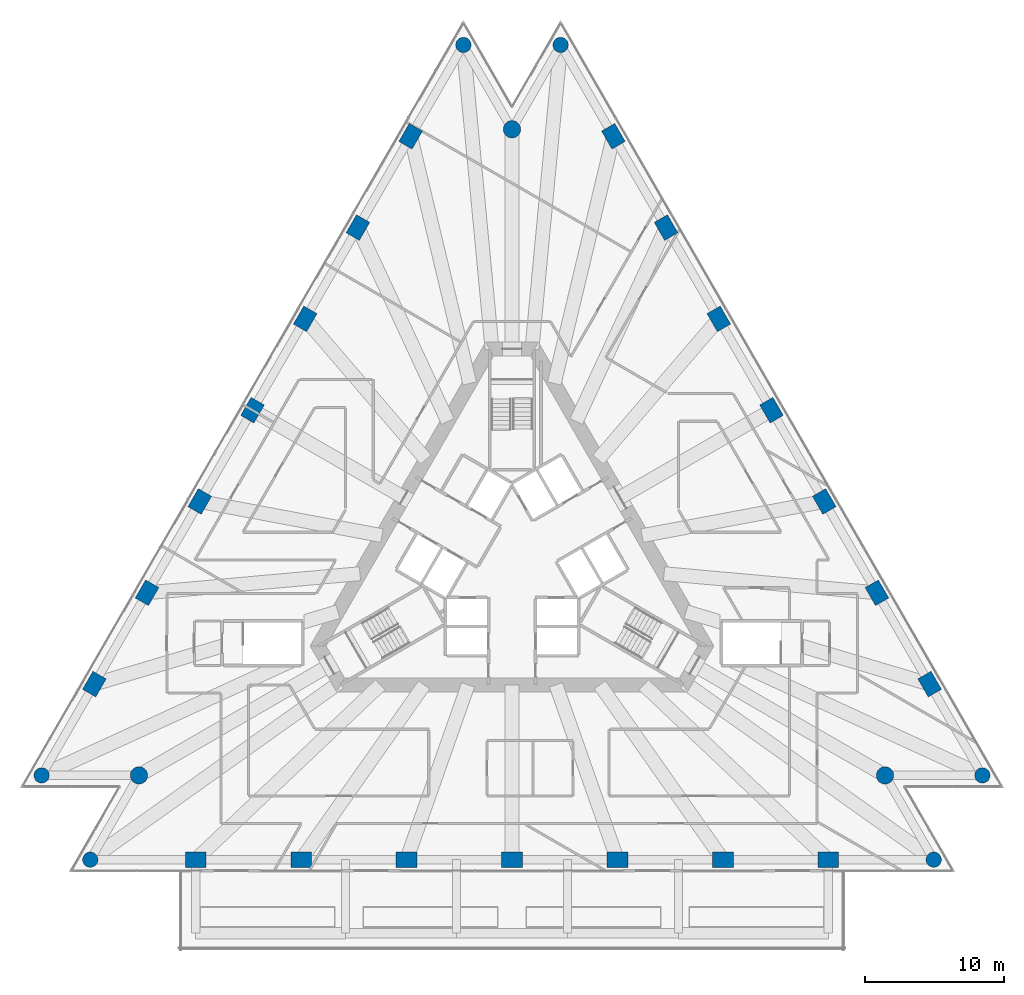
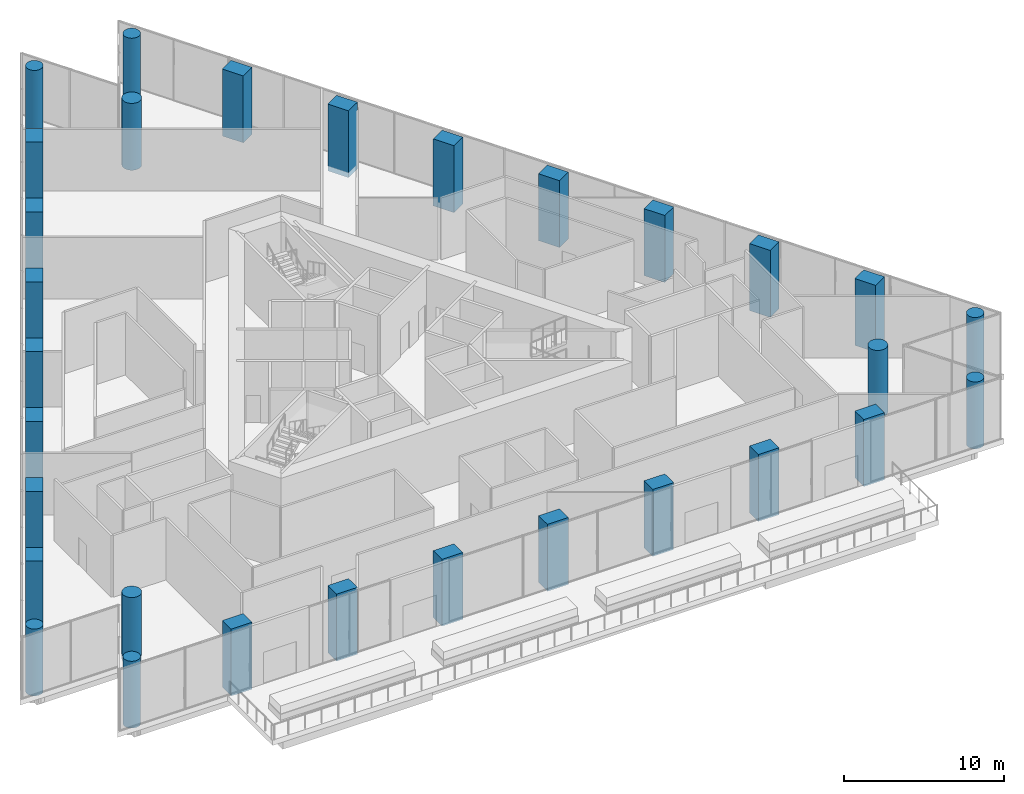
# One storey, part 1 of 28: 30 columns.
"""IFC4 building model written with IfcOpenShell, lengths in metres."""

from ifc_helpers import new_model, si_unit, direction, frame, origin, origin_2d, place, context, subcontext, project, spatial, rectangle, circle, extrude, material, material_profile, profile_set, type_object, element, save


model = new_model("IFC4")

# Units and contexts
model_context = context("Model", 3, precision=1e-05, world=origin(), true_north=direction((0.0, 1.0)))
body_context = subcontext(model_context, "Body", "Model", "MODEL_VIEW")
ifc_project = project(units=[si_unit("LENGTHUNIT", "METRE"), si_unit("AREAUNIT", "SQUARE_METRE"), si_unit("VOLUMEUNIT", "CUBIC_METRE"), si_unit("PLANEANGLEUNIT", "RADIAN"), si_unit("MASSUNIT", "GRAM", prefix="KILO")], contexts=[model_context])

# Site, building, storey
site_placement = place(None, origin())
site = spatial("IfcSite", under=ifc_project, at=site_placement, CompositionType="ELEMENT")
building_placement = place(site_placement, origin())
building = spatial("IfcBuilding", under=site, at=building_placement, Name="Triada Interchange Tower", CompositionType="ELEMENT")
storey_placement = place(building_placement, frame((0.0, 0.0, 30.300048828125)))
storey = spatial("IfcBuildingStorey", under=building, at=storey_placement, Name="L05", CompositionType="ELEMENT", Elevation=30.300048828125)

# Columns
ifc_material = material(Name="Concrete C70/85", Category="concrete")
ifc_material_profile_1 = material_profile(ifc_material, rectangle(XDim=1.5, YDim=1.10009765625, at=origin_2d()), Name="RC 1500x1100")
ifc_profile_set_1 = profile_set([ifc_material_profile_1], Name="Concrete C70/85")
column_type_1 = type_object("IfcColumnType", Name="Column P face RC 1500x1100", PredefinedType="COLUMN", material=ifc_profile_set_1)
for number, where, z_axis, x_axis, name in (
    (1, (-7.306884765625, 30.5439453125, -0.400146484375), (0.0, 0.0, 1.0), (0.5, 0.866025403784, 0.0), "Column CP02 L05"),
    (2, (-11.10595703125, 23.9619140625, -0.400146484375), (0.0, 0.0, 1.0), (0.5, 0.866025403784, 0.0), "Column CP03 L05"),
    (3, (-14.906005859375, 17.381103515625, -0.400146484375), (0.0, 0.0, 1.0), (0.5, 0.866025403784, 0.0), "Column CP04 L05"),
    (4, (-18.7060546875, 10.800048828125, -0.400146484375), (0.0, 0.0, 1.0), (0.5, 0.866025403784, 0.0), "Column CP05 L05"),
    (5, (-22.506103515625, 4.218994140625, -0.400146484375), (0.0, 0.0, 1.0), (0.5, 0.866025403784, 0.0), "Column CP06 L05"),
    (6, (-26.305908203125, -2.362060546875, -0.400146484375), (0.0, 0.0, 1.0), (0.5, 0.866025403784, 0.0), "Column CP07 L05"),
    (7, (-30.10498046875, -8.944091796875, -0.400146484375), (0.0, 0.0, 1.0), (0.5, 0.866025403784, 0.0), "Column CP08 L05"),
    (8, (-22.798095703125, -21.60009765625, -0.400146484375), (0.0, 0.0, 1.0), (1.0, 0.0, 0.0), "Column CP11 L05"),
    (9, (-15.197998046875, -21.60009765625, -0.400146484375), (0.0, 0.0, 1.0), (1.0, 0.0, 0.0), "Column CP12 L05"),
    (10, (-7.59912109375, -21.60009765625, -0.400146484375), (0.0, 0.0, 1.0), (1.0, 0.0, 0.0), "Column CP13 L05"),
    (11, (0.0, -21.60009765625, -0.400146484375), (0.0, 0.0, 1.0), (1.0, 0.0, 0.0), "Column CP14 L05"),
    (12, (7.59912109375, -21.60009765625, -0.400146484375), (0.0, 0.0, 1.0), (1.0, 0.0, 0.0), "Column CP15 L05"),
    (13, (15.198974609375, -21.60009765625, -0.400146484375), (0.0, 0.0, 1.0), (1.0, 0.0, 0.0), "Column CP16 L05"),
    (14, (22.798095703125, -21.60009765625, -0.400146484375), (0.0, 0.0, 1.0), (1.0, 0.0, 0.0), "Column CP17 L05"),
    (15, (30.10498046875, -8.944091796875, -0.400146484375), (0.0, 0.0, 1.0), (-0.5, 0.866025403784, 0.0), "Column CP20 L05"),
    (16, (26.305908203125, -2.363037109375, -0.400146484375), (0.0, 0.0, 1.0), (-0.5, 0.866025403784, 0.0), "Column CP21 L05"),
    (17, (22.506103515625, 4.218994140625, -0.400146484375), (0.0, 0.0, 1.0), (-0.5, 0.866025403784, 0.0), "Column CP22 L05"),
    (18, (18.7060546875, 10.800048828125, -0.400146484375), (0.0, 0.0, 1.0), (-0.5, 0.866025403784, 0.0), "Column CP23 L05"),
    (19, (14.906005859375, 17.381103515625, -0.400146484375), (0.0, 0.0, 1.0), (-0.5, 0.866025403784, 0.0), "Column CP24 L05"),
    (20, (11.10595703125, 23.9619140625, -0.400146484375), (0.0, 0.0, 1.0), (-0.5, 0.866025403784, 0.0), "Column CP25 L05"),
    (21, (7.306884765625, 30.5439453125, -0.400146484375), (0.0, 0.0, 1.0), (-0.5, 0.866025403784, 0.0), "Column CP26 L05"),
):
    element("IfcColumn", number, at=place(storey_placement, frame(where, z_axis=z_axis, x_axis=x_axis)), inside=storey, type_object=column_type_1, Name=name, PredefinedType="COLUMN", context=body_context, shape_type="SweptSolid", body=[
        extrude(rectangle(XDim=1.5, YDim=1.10009765625, at=origin_2d()), origin(), (0.0, 0.0, 1.0), 5.10009765625),
    ])
ifc_material_profile_2 = material_profile(ifc_material, circle(Radius=0.550048828125, at=origin_2d()), Name="RC D1100")
ifc_profile_set_2 = profile_set([ifc_material_profile_2], Name="Concrete C70/85")
column_type_2 = type_object("IfcColumnType", Name="End column P RC D1100", PredefinedType="COLUMN", material=ifc_profile_set_2)
for number, where, z_axis, x_axis, name in (
    (22, (-3.507080078125, 37.125, -0.400146484375), (0.0, 0.0, 1.0), (0.5, 0.866025403784, 0.0), "Column CP01 L05"),
    (23, (-33.905029296875, -15.52490234375, -0.400146484375), (0.0, 0.0, 1.0), (0.5, 0.866025403784, 0.0), "Column CP09 L05"),
    (24, (-30.39697265625, -21.60009765625, -0.400146484375), (0.0, 0.0, 1.0), (1.0, 0.0, 0.0), "Column CP10 L05"),
    (25, (30.39697265625, -21.60009765625, -0.400146484375), (0.0, 0.0, 1.0), (1.0, 0.0, 0.0), "Column CP18 L05"),
    (26, (33.905029296875, -15.52490234375, -0.400146484375), (0.0, 0.0, 1.0), (-0.5, 0.866025403784, 0.0), "Column CP19 L05"),
    (27, (3.507080078125, 37.125, -0.400146484375), (0.0, 0.0, 1.0), (-0.5, 0.866025403784, 0.0), "Column CP27 L05"),
):
    element("IfcColumn", number, at=place(storey_placement, frame(where, z_axis=z_axis, x_axis=x_axis)), inside=storey, type_object=column_type_2, Name=name, PredefinedType="COLUMN", context=body_context, shape_type="SweptSolid", body=[
        extrude(circle(Radius=0.550048828125, at=origin_2d()), origin(), (0.0, 0.0, 1.0), 5.10009765625),
    ])
ifc_material_profile_3 = material_profile(ifc_material, circle(Radius=0.625, at=origin_2d()), Name="RC D1250")
ifc_profile_set_3 = profile_set([ifc_material_profile_3], Name="Concrete C70/85")
column_type_3 = type_object("IfcColumnType", Name="Mega column P RC D1250", PredefinedType="COLUMN", material=ifc_profile_set_3)
for number, where, z_axis, x_axis, name in (
    (28, (0.0, 31.050048828125, -0.400146484375), (0.0, 0.0, 1.0), (1.0, 0.0, 0.0), "Column MP1 L05"),
    (29, (-26.889892578125, -15.52490234375, -0.400146484375), (0.0, 0.0, 1.0), (1.0, 0.0, 0.0), "Column MP2 L05"),
    (30, (26.889892578125, -15.52490234375, -0.400146484375), (0.0, 0.0, 1.0), (1.0, 0.0, 0.0), "Column MP3 L05"),
):
    element("IfcColumn", number, at=place(storey_placement, frame(where, z_axis=z_axis, x_axis=x_axis)), inside=storey, type_object=column_type_3, Name=name, PredefinedType="COLUMN", context=body_context, shape_type="SweptSolid", body=[
        extrude(circle(Radius=0.625, at=origin_2d()), origin(), (0.0, 0.0, 1.0), 5.10009765625),
    ])

save(model, "model.ifc")
